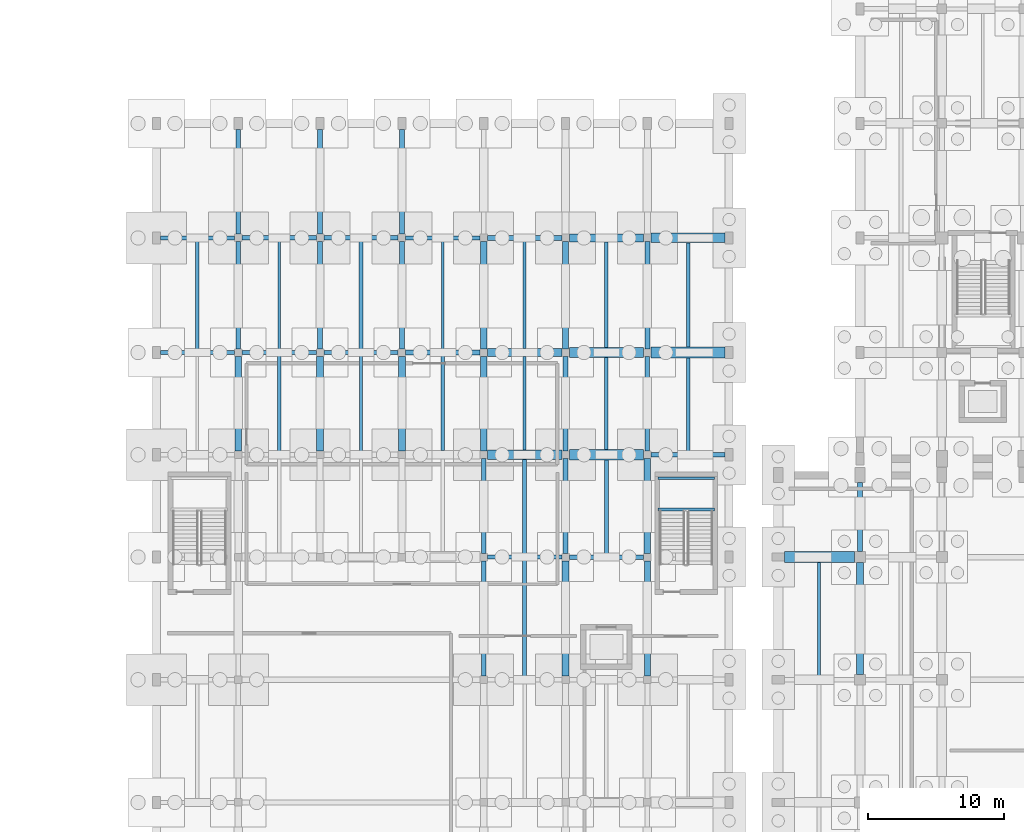
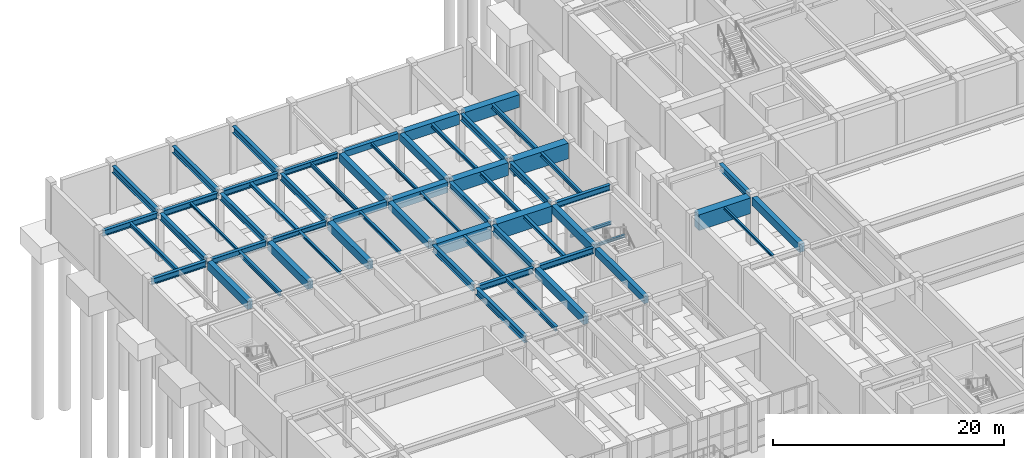
# One storey, part 37 of 69: 62 beams.
"""IFC4 building model written with IfcOpenShell, lengths in metres."""

from ifc_helpers import new_model, si_unit, direction, frame, origin, origin_2d, place, context, subcontext, project, spatial, rectangle, i_section, extrude, material, material_profile, profile_set, type_object, element, save


model = new_model("IFC4")

# Units and contexts
model_context = context("Model", 3, precision=1e-05, world=origin(), true_north=direction((0.0, 1.0)))
body_context = subcontext(model_context, "Body", "Model", "MODEL_VIEW")
ifc_project = project(units=[si_unit("LENGTHUNIT", "METRE"), si_unit("AREAUNIT", "SQUARE_METRE"), si_unit("VOLUMEUNIT", "CUBIC_METRE"), si_unit("PLANEANGLEUNIT", "RADIAN"), si_unit("MASSUNIT", "GRAM", prefix="KILO")], contexts=[model_context])

# Site, building, storey
site_placement = place(None, origin())
site = spatial("IfcSite", under=ifc_project, at=site_placement, CompositionType="ELEMENT")
building_placement = place(site_placement, origin())
building = spatial("IfcBuilding", under=site, at=building_placement, Name="Vaelkrest Opera House", CompositionType="ELEMENT")
storey_placement = place(building_placement, frame((0.0, 0.0, -5.39990234375)))
storey = spatial("IfcBuildingStorey", under=building, at=storey_placement, Name="B1", CompositionType="ELEMENT", Elevation=-5.39990234375)

# Beams
ifc_material_1 = material(Name="Concrete C50/60", Category="concrete")
ifc_material_profile_1 = material_profile(ifc_material_1, rectangle(XDim=0.39990234375, YDim=0.64990234375, at=origin_2d()), Name="RCB400X650")
ifc_profile_set_1 = profile_set([ifc_material_profile_1], Name="Concrete C50/60")
beam_type_1 = type_object("IfcBeamType", Name="B01", PredefinedType="BEAM", material=ifc_profile_set_1)
for number, where, z_axis, x_axis, name in (
    (1, (-57.324951171875, 25.199951171875, 4.7548828125), (1.0, 0.0, 0.0), (0.0, 1.0, 0.0), "Beam BM-V3-B1-1309"),
    (2, (-51.324951171875, 33.60009765625, 4.7548828125), (1.0, 0.0, 0.0), (0.0, 1.0, 0.0), "Beam BM-V3-B1-1317"),
):
    element("IfcBeam", number, at=place(storey_placement, frame(where, z_axis=z_axis, x_axis=x_axis)), inside=storey, type_object=beam_type_1, Name=name, PredefinedType="BEAM", context=body_context, shape_type="SweptSolid", body=[
        extrude(rectangle(XDim=0.39990234375, YDim=0.64990234375, at=origin_2d()), origin(), (0.0, 0.0, 1.0), 5.449951171875),
    ])
ifc_material_profile_2 = material_profile(ifc_material_1, rectangle(XDim=0.449951171875, YDim=0.75, at=origin_2d()), Name="RCB450X750")
ifc_profile_set_2 = profile_set([ifc_material_profile_2], Name="Concrete C50/60")
beam_type_2 = type_object("IfcBeamType", Name="B02", PredefinedType="BEAM", material=ifc_profile_set_2)
beam_1_placement = place(storey_placement, frame((-51.60009765625, 17.97509765625, 4.704833984375), z_axis=(0.0, 1.0, 0.0), x_axis=(-1.0, 0.0, 0.0)))
element("IfcBeam", 3, at=beam_1_placement, inside=storey, type_object=beam_type_2, Name="Beam BM-V3-B1-1339", PredefinedType="BEAM", context=body_context, shape_type="SweptSolid", body=[
    extrude(rectangle(XDim=0.449951171875, YDim=0.75, at=origin_2d()), origin(), (0.0, 0.0, 1.0), 6.949951171875),
])
beam_2_placement = place(storey_placement, frame((-45.60009765625, 25.47509765625, 4.704833984375), z_axis=(0.0, 1.0, 0.0), x_axis=(-1.0, 0.0, 0.0)))
element("IfcBeam", 4, at=beam_2_placement, inside=storey, type_object=beam_type_2, Name="Beam BM-V3-B1-1347", PredefinedType="BEAM", context=body_context, shape_type="SweptSolid", body=[
    extrude(rectangle(XDim=0.449951171875, YDim=0.75, at=origin_2d()), origin(), (0.0, 0.0, 1.0), 7.849853515625),
])
beam_3_placement = place(storey_placement, frame((-39.60009765625, 1.47509765625, 4.704833984375), z_axis=(0.0, 1.0, 0.0), x_axis=(-1.0, 0.0, 0.0)))
element("IfcBeam", 5, at=beam_3_placement, inside=storey, type_object=beam_type_2, Name="Beam BM-V3-B1-1351", PredefinedType="BEAM", context=body_context, shape_type="SweptSolid", body=[
    extrude(rectangle(XDim=0.449951171875, YDim=0.75, at=origin_2d()), origin(), (0.0, 0.0, 1.0), 8.449951171875),
])
ifc_material_profile_3 = material_profile(ifc_material_1, rectangle(XDim=0.5, YDim=0.85009765625, at=origin_2d()), Name="RCB500X850")
ifc_profile_set_3 = profile_set([ifc_material_profile_3], Name="Concrete C50/60")
beam_type_3 = type_object("IfcBeamType", Name="B03", PredefinedType="BEAM", material=ifc_profile_set_3)
beam_4_placement = place(storey_placement, frame((-24.0, 1.60009765625, 4.635009765625), z_axis=(0.0, 1.0, 0.0), x_axis=(-1.0, 0.0, 0.0)))
element("IfcBeam", 6, at=beam_4_placement, inside=storey, type_object=beam_type_3, Name="Beam BM-V1-B1-0040", PredefinedType="BEAM", context=body_context, shape_type="SweptSolid", body=[
    extrude(rectangle(XDim=0.5, YDim=0.85009765625, at=origin_2d()), origin(), (0.0, 0.0, 1.0), 8.199951171875),
])
for number, where, z_axis, x_axis, name in (
    (7, (-69.60009765625, 17.97509765625, 4.65478515625), (0.0, 1.0, 0.0), (-1.0, 0.0, 0.0), "Beam BM-V3-B1-1324"),
    (8, (-63.60009765625, 17.97509765625, 4.65478515625), (0.0, 1.0, 0.0), (-1.0, 0.0, 0.0), "Beam BM-V3-B1-1328"),
    (9, (-57.60009765625, 17.97509765625, 4.65478515625), (0.0, 1.0, 0.0), (-1.0, 0.0, 0.0), "Beam BM-V3-B1-1332"),
):
    element("IfcBeam", number, at=place(storey_placement, frame(where, z_axis=z_axis, x_axis=x_axis)), inside=storey, type_object=beam_type_3, Name=name, PredefinedType="BEAM", context=body_context, shape_type="SweptSolid", body=[
        extrude(rectangle(XDim=0.5, YDim=0.85009765625, at=origin_2d()), origin(), (0.0, 0.0, 1.0), 6.949951171875),
    ])
beam_5_placement = place(storey_placement, frame((-51.60009765625, 25.47509765625, 4.65478515625), z_axis=(0.0, 1.0, 0.0), x_axis=(-1.0, 0.0, 0.0)))
element("IfcBeam", 10, at=beam_5_placement, inside=storey, type_object=beam_type_3, Name="Beam BM-V3-B1-1340", PredefinedType="BEAM", context=body_context, shape_type="SweptSolid", body=[
    extrude(rectangle(XDim=0.5, YDim=0.85009765625, at=origin_2d()), origin(), (0.0, 0.0, 1.0), 7.849853515625),
])
beam_6_placement = place(storey_placement, frame((-45.60009765625, 1.47509765625, 4.65478515625), z_axis=(0.0, 1.0, 0.0), x_axis=(-1.0, 0.0, 0.0)))
element("IfcBeam", 11, at=beam_6_placement, inside=storey, type_object=beam_type_3, Name="Beam BM-V3-B1-1344", PredefinedType="BEAM", context=body_context, shape_type="SweptSolid", body=[
    extrude(rectangle(XDim=0.5, YDim=0.85009765625, at=origin_2d()), origin(), (0.0, 0.0, 1.0), 8.449951171875),
])
beam_7_placement = place(storey_placement, frame((-39.60009765625, 10.47509765625, 4.65478515625), z_axis=(0.0, 1.0, 0.0), x_axis=(-1.0, 0.0, 0.0)))
element("IfcBeam", 12, at=beam_7_placement, inside=storey, type_object=beam_type_3, Name="Beam BM-V3-B1-1352", PredefinedType="BEAM", context=body_context, shape_type="SweptSolid", body=[
    extrude(rectangle(XDim=0.5, YDim=0.85009765625, at=origin_2d()), origin(), (0.0, 0.0, 1.0), 6.949951171875),
])
ifc_material_profile_4 = material_profile(ifc_material_1, rectangle(XDim=0.60009765625, YDim=1.10009765625, at=origin_2d()), Name="RCB600X1100")
ifc_profile_set_4 = profile_set([ifc_material_profile_4], Name="Concrete C50/60")
beam_type_4 = type_object("IfcBeamType", Name="B05", PredefinedType="BEAM", material=ifc_profile_set_4)
for number, where, z_axis, x_axis, name in (
    (13, (-51.324951171875, 25.199951171875, 4.52978515625), (1.0, 0.0, 0.0), (0.0, 1.0, 0.0), "Beam BM-V3-B1-1310"),
    (14, (-45.324951171875, 33.60009765625, 4.52978515625), (1.0, 0.0, 0.0), (0.0, 1.0, 0.0), "Beam BM-V3-B1-1318"),
):
    element("IfcBeam", number, at=place(storey_placement, frame(where, z_axis=z_axis, x_axis=x_axis)), inside=storey, type_object=beam_type_4, Name=name, PredefinedType="BEAM", context=body_context, shape_type="SweptSolid", body=[
        extrude(rectangle(XDim=0.60009765625, YDim=1.10009765625, at=origin_2d()), origin(), (0.0, 0.0, 1.0), 5.449951171875),
    ])
ifc_material_profile_5 = material_profile(ifc_material_1, rectangle(XDim=0.699951171875, YDim=1.35009765625, at=origin_2d()), Name="RCB700X1350")
ifc_profile_set_5 = profile_set([ifc_material_profile_5], Name="Concrete C50/60")
beam_type_5 = type_object("IfcBeamType", Name="B06", PredefinedType="BEAM", material=ifc_profile_set_5)
for number, where, z_axis, x_axis, name in (
    (15, (-51.324951171875, 17.699951171875, 4.40478515625), (1.0, 0.0, 0.0), (0.0, 1.0, 0.0), "Beam BM-V3-B1-1303"),
    (16, (-45.324951171875, 25.199951171875, 4.40478515625), (1.0, 0.0, 0.0), (0.0, 1.0, 0.0), "Beam BM-V3-B1-1311"),
):
    element("IfcBeam", number, at=place(storey_placement, frame(where, z_axis=z_axis, x_axis=x_axis)), inside=storey, type_object=beam_type_5, Name=name, PredefinedType="BEAM", context=body_context, shape_type="SweptSolid", body=[
        extrude(rectangle(XDim=0.699951171875, YDim=1.35009765625, at=origin_2d()), origin(), (0.0, 0.0, 1.0), 5.449951171875),
    ])
beam_8_placement = place(storey_placement, frame((-39.324951171875, 33.60009765625, 4.40478515625), z_axis=(1.0, 0.0, 0.0), x_axis=(0.0, 1.0, 0.0)))
element("IfcBeam", 17, at=beam_8_placement, inside=storey, type_object=beam_type_5, Name="Beam BM-V3-B1-1319", PredefinedType="BEAM", context=body_context, shape_type="SweptSolid", body=[
    extrude(rectangle(XDim=0.699951171875, YDim=1.35009765625, at=origin_2d()), origin(), (0.0, 0.0, 1.0), 5.425048828125),
])
ifc_material_profile_6 = material_profile(ifc_material_1, rectangle(XDim=0.800048828125, YDim=1.64990234375, at=origin_2d()), Name="RCB800X1650")
ifc_profile_set_6 = profile_set([ifc_material_profile_6], Name="Concrete C50/60")
beam_type_6 = type_object("IfcBeamType", Name="B07", PredefinedType="BEAM", material=ifc_profile_set_6)
beam_9_placement = place(storey_placement, frame((-29.550048828125, 10.199951171875, 4.23486328125), z_axis=(1.0, 0.0, 0.0), x_axis=(0.0, 1.0, 0.0)))
element("IfcBeam", 18, at=beam_9_placement, inside=storey, type_object=beam_type_6, Name="Beam BM-V1-B1-0032", PredefinedType="BEAM", context=body_context, shape_type="SweptSolid", body=[
    extrude(rectangle(XDim=0.800048828125, YDim=1.64990234375, at=origin_2d()), origin(), (0.0, 0.0, 1.0), 5.150146484375),
])
beam_10_placement = place(storey_placement, frame((-45.324951171875, 17.699951171875, 4.2548828125), z_axis=(1.0, 0.0, 0.0), x_axis=(0.0, 1.0, 0.0)))
element("IfcBeam", 19, at=beam_10_placement, inside=storey, type_object=beam_type_6, Name="Beam BM-V3-B1-1304", PredefinedType="BEAM", context=body_context, shape_type="SweptSolid", body=[
    extrude(rectangle(XDim=0.800048828125, YDim=1.64990234375, at=origin_2d()), origin(), (0.0, 0.0, 1.0), 5.449951171875),
])
beam_11_placement = place(storey_placement, frame((-39.324951171875, 25.199951171875, 4.2548828125), z_axis=(1.0, 0.0, 0.0), x_axis=(0.0, 1.0, 0.0)))
element("IfcBeam", 20, at=beam_11_placement, inside=storey, type_object=beam_type_6, Name="Beam BM-V3-B1-1312", PredefinedType="BEAM", context=body_context, shape_type="SweptSolid", body=[
    extrude(rectangle(XDim=0.800048828125, YDim=1.64990234375, at=origin_2d()), origin(), (0.0, 0.0, 1.0), 5.425048828125),
])
ifc_material_2 = material(Name="Steel A992 Gr50", Category="steel")
ifc_material_profile_7 = material_profile(ifc_material_2, i_section(OverallWidth=0.323974609375, OverallDepth=0.611083984375, WebThickness=0.0126953125, FlangeThickness=0.01904296875, at=origin_2d()), Name="W24X104")
ifc_profile_set_7 = profile_set([ifc_material_profile_7], Name="Steel A992 Gr50")
beam_type_7 = type_object("IfcBeamType", Name="B08", PredefinedType="BEAM", material=ifc_profile_set_7)
beam_12_placement = place(storey_placement, frame((-51.324951171875, 10.199951171875, 4.7744140625), z_axis=(1.0, 0.0, 0.0), x_axis=(0.0, 1.0, 0.0)))
element("IfcBeam", 21, at=beam_12_placement, inside=storey, type_object=beam_type_7, Name="Beam BM-V3-B1-1297", PredefinedType="BEAM", context=body_context, shape_type="SweptSolid", body=[
    extrude(i_section(OverallWidth=0.323974609375, OverallDepth=0.611083984375, WebThickness=0.0126953125, FlangeThickness=0.01904296875, at=origin_2d()), origin(), (0.0, 0.0, 1.0), 5.449951171875),
])
for number, where, z_axis, x_axis, name in (
    (22, (-39.324951171875, 17.699951171875, 4.7744140625), (1.0, 0.0, 0.0), (0.0, 1.0, 0.0), "Beam BM-V3-B1-1305"),
    (23, (-75.300048828125, 33.60009765625, 4.7744140625), (1.0, 0.0, 0.0), (0.0, 1.0, 0.0), "Beam BM-V3-B1-1313"),
):
    element("IfcBeam", number, at=place(storey_placement, frame(where, z_axis=z_axis, x_axis=x_axis)), inside=storey, type_object=beam_type_7, Name=name, PredefinedType="BEAM", context=body_context, shape_type="SweptSolid", body=[
        extrude(i_section(OverallWidth=0.323974609375, OverallDepth=0.611083984375, WebThickness=0.0126953125, FlangeThickness=0.01904296875, at=origin_2d()), origin(), (0.0, 0.0, 1.0), 5.425048828125),
    ])
ifc_material_profile_8 = material_profile(ifc_material_2, i_section(OverallWidth=0.327880859375, OverallDepth=0.6279296875, WebThickness=0.0166015625, FlangeThickness=0.027587890625, at=origin_2d()), Name="W24X146")
ifc_profile_set_8 = profile_set([ifc_material_profile_8], Name="Steel A992 Gr50")
beam_type_8 = type_object("IfcBeamType", Name="B09", PredefinedType="BEAM", material=ifc_profile_set_8)
beam_13_placement = place(storey_placement, frame((-45.324951171875, 10.199951171875, 4.765869140625), z_axis=(1.0, 0.0, 0.0), x_axis=(0.0, 1.0, 0.0)))
element("IfcBeam", 24, at=beam_13_placement, inside=storey, type_object=beam_type_8, Name="Beam BM-V3-B1-1298", PredefinedType="BEAM", context=body_context, shape_type="SweptSolid", body=[
    extrude(i_section(OverallWidth=0.327880859375, OverallDepth=0.6279296875, WebThickness=0.0166015625, FlangeThickness=0.027587890625, at=origin_2d()), origin(), (0.0, 0.0, 1.0), 5.449951171875),
])
beam_14_placement = place(storey_placement, frame((-75.300048828125, 25.199951171875, 4.765869140625), z_axis=(1.0, 0.0, 0.0), x_axis=(0.0, 1.0, 0.0)))
element("IfcBeam", 25, at=beam_14_placement, inside=storey, type_object=beam_type_8, Name="Beam BM-V3-B1-1306", PredefinedType="BEAM", context=body_context, shape_type="SweptSolid", body=[
    extrude(i_section(OverallWidth=0.327880859375, OverallDepth=0.6279296875, WebThickness=0.0166015625, FlangeThickness=0.027587890625, at=origin_2d()), origin(), (0.0, 0.0, 1.0), 5.425048828125),
])
beam_15_placement = place(storey_placement, frame((-69.324951171875, 33.60009765625, 4.765869140625), z_axis=(1.0, 0.0, 0.0), x_axis=(0.0, 1.0, 0.0)))
element("IfcBeam", 26, at=beam_15_placement, inside=storey, type_object=beam_type_8, Name="Beam BM-V3-B1-1314", PredefinedType="BEAM", context=body_context, shape_type="SweptSolid", body=[
    extrude(i_section(OverallWidth=0.327880859375, OverallDepth=0.6279296875, WebThickness=0.0166015625, FlangeThickness=0.027587890625, at=origin_2d()), origin(), (0.0, 0.0, 1.0), 5.449951171875),
])
ifc_material_profile_9 = material_profile(ifc_material_2, i_section(OverallWidth=0.35498046875, OverallDepth=0.695068359375, WebThickness=0.015380859375, FlangeThickness=0.02490234375, at=origin_2d()), Name="W27X146")
ifc_profile_set_9 = profile_set([ifc_material_profile_9], Name="Steel A992 Gr50")
beam_type_9 = type_object("IfcBeamType", Name="B10", PredefinedType="BEAM", material=ifc_profile_set_9)
beam_16_placement = place(storey_placement, frame((-24.0, 10.60009765625, 4.71240234375), z_axis=(0.0, 1.0, 0.0), x_axis=(-1.0, 0.0, 0.0)))
element("IfcBeam", 27, at=beam_16_placement, inside=storey, type_object=beam_type_9, Name="Beam BM-V1-B1-0041", PredefinedType="BEAM", context=body_context, shape_type="SweptSolid", body=[
    extrude(i_section(OverallWidth=0.35498046875, OverallDepth=0.695068359375, WebThickness=0.015380859375, FlangeThickness=0.02490234375, at=origin_2d()), origin(), (0.0, 0.0, 1.0), 5.0498046875),
])
for number, where, z_axis, x_axis, name in (
    (28, (-69.60009765625, 25.47509765625, 4.732421875), (0.0, 1.0, 0.0), (-1.0, 0.0, 0.0), "Beam BM-V3-B1-1325"),
    (29, (-63.60009765625, 25.47509765625, 4.732421875), (0.0, 1.0, 0.0), (-1.0, 0.0, 0.0), "Beam BM-V3-B1-1329"),
    (30, (-57.60009765625, 25.47509765625, 4.732421875), (0.0, 1.0, 0.0), (-1.0, 0.0, 0.0), "Beam BM-V3-B1-1333"),
):
    element("IfcBeam", number, at=place(storey_placement, frame(where, z_axis=z_axis, x_axis=x_axis)), inside=storey, type_object=beam_type_9, Name=name, PredefinedType="BEAM", context=body_context, shape_type="SweptSolid", body=[
        extrude(i_section(OverallWidth=0.35498046875, OverallDepth=0.695068359375, WebThickness=0.015380859375, FlangeThickness=0.02490234375, at=origin_2d()), origin(), (0.0, 0.0, 1.0), 7.849853515625),
    ])
beam_17_placement = place(storey_placement, frame((-51.60009765625, 1.47509765625, 4.732421875), z_axis=(0.0, 1.0, 0.0), x_axis=(-1.0, 0.0, 0.0)))
element("IfcBeam", 31, at=beam_17_placement, inside=storey, type_object=beam_type_9, Name="Beam BM-V3-B1-1337", PredefinedType="BEAM", context=body_context, shape_type="SweptSolid", body=[
    extrude(i_section(OverallWidth=0.35498046875, OverallDepth=0.695068359375, WebThickness=0.015380859375, FlangeThickness=0.02490234375, at=origin_2d()), origin(), (0.0, 0.0, 1.0), 8.449951171875),
])
for number, where, z_axis, x_axis, name in (
    (32, (-45.60009765625, 10.47509765625, 4.732421875), (0.0, 1.0, 0.0), (-1.0, 0.0, 0.0), "Beam BM-V3-B1-1345"),
    (33, (-39.60009765625, 17.97509765625, 4.732421875), (0.0, 1.0, 0.0), (-1.0, 0.0, 0.0), "Beam BM-V3-B1-1353"),
):
    element("IfcBeam", number, at=place(storey_placement, frame(where, z_axis=z_axis, x_axis=x_axis)), inside=storey, type_object=beam_type_9, Name=name, PredefinedType="BEAM", context=body_context, shape_type="SweptSolid", body=[
        extrude(i_section(OverallWidth=0.35498046875, OverallDepth=0.695068359375, WebThickness=0.015380859375, FlangeThickness=0.02490234375, at=origin_2d()), origin(), (0.0, 0.0, 1.0), 6.949951171875),
    ])
ifc_material_profile_10 = material_profile(ifc_material_2, i_section(OverallWidth=0.35791015625, OverallDepth=0.7060546875, WebThickness=0.018310546875, FlangeThickness=0.0302734375, at=origin_2d()), Name="W27X178")
ifc_profile_set_10 = profile_set([ifc_material_profile_10], Name="Steel A992 Gr50")
beam_type_10 = type_object("IfcBeamType", Name="B14", PredefinedType="BEAM", material=ifc_profile_set_10)
for number, where, z_axis, x_axis, name in (
    (34, (-69.60009765625, 33.875, 4.726806640625), (0.0, 1.0, 0.0), (-1.0, 0.0, 0.0), "Beam BM-V3-B1-1326"),
    (35, (-63.60009765625, 33.875, 4.726806640625), (0.0, 1.0, 0.0), (-1.0, 0.0, 0.0), "Beam BM-V3-B1-1330"),
    (36, (-57.60009765625, 33.875, 4.726806640625), (0.0, 1.0, 0.0), (-1.0, 0.0, 0.0), "Beam BM-V3-B1-1334"),
):
    element("IfcBeam", number, at=place(storey_placement, frame(where, z_axis=z_axis, x_axis=x_axis)), inside=storey, type_object=beam_type_10, Name=name, PredefinedType="BEAM", context=body_context, shape_type="SweptSolid", body=[
        extrude(i_section(OverallWidth=0.35791015625, OverallDepth=0.7060546875, WebThickness=0.018310546875, FlangeThickness=0.0302734375, at=origin_2d()), origin(), (0.0, 0.0, 1.0), 7.675048828125),
    ])
for number, where, z_axis, x_axis, name in (
    (37, (-51.60009765625, 10.47509765625, 4.726806640625), (0.0, 1.0, 0.0), (-1.0, 0.0, 0.0), "Beam BM-V3-B1-1338"),
    (38, (-45.60009765625, 17.97509765625, 4.726806640625), (0.0, 1.0, 0.0), (-1.0, 0.0, 0.0), "Beam BM-V3-B1-1346"),
):
    element("IfcBeam", number, at=place(storey_placement, frame(where, z_axis=z_axis, x_axis=x_axis)), inside=storey, type_object=beam_type_10, Name=name, PredefinedType="BEAM", context=body_context, shape_type="SweptSolid", body=[
        extrude(i_section(OverallWidth=0.35791015625, OverallDepth=0.7060546875, WebThickness=0.018310546875, FlangeThickness=0.0302734375, at=origin_2d()), origin(), (0.0, 0.0, 1.0), 6.949951171875),
    ])
beam_18_placement = place(storey_placement, frame((-39.60009765625, 25.47509765625, 4.726806640625), z_axis=(0.0, 1.0, 0.0), x_axis=(-1.0, 0.0, 0.0)))
element("IfcBeam", 39, at=beam_18_placement, inside=storey, type_object=beam_type_10, Name="Beam BM-V3-B1-1354", PredefinedType="BEAM", context=body_context, shape_type="SweptSolid", body=[
    extrude(i_section(OverallWidth=0.35791015625, OverallDepth=0.7060546875, WebThickness=0.018310546875, FlangeThickness=0.0302734375, at=origin_2d()), origin(), (0.0, 0.0, 1.0), 7.849853515625),
])
ifc_material_profile_11 = material_profile(ifc_material_2, i_section(OverallWidth=0.326904296875, OverallDepth=0.6220703125, WebThickness=0.015380859375, FlangeThickness=0.0244140625, at=origin_2d()), Name="W24X131")
ifc_profile_set_11 = profile_set([ifc_material_profile_11], Name="Steel A992 Gr50")
beam_type_11 = type_object("IfcBeamType", Name="B19", PredefinedType="BEAM", material=ifc_profile_set_11)
for number, where, z_axis, x_axis, name in (
    (40, (-69.324951171875, 25.199951171875, 4.768798828125), (1.0, 0.0, 0.0), (0.0, 1.0, 0.0), "Beam BM-V3-B1-1307"),
    (41, (-63.324951171875, 33.60009765625, 4.768798828125), (1.0, 0.0, 0.0), (0.0, 1.0, 0.0), "Beam BM-V3-B1-1315"),
):
    element("IfcBeam", number, at=place(storey_placement, frame(where, z_axis=z_axis, x_axis=x_axis)), inside=storey, type_object=beam_type_11, Name=name, PredefinedType="BEAM", context=body_context, shape_type="SweptSolid", body=[
        extrude(i_section(OverallWidth=0.326904296875, OverallDepth=0.6220703125, WebThickness=0.015380859375, FlangeThickness=0.0244140625, at=origin_2d()), origin(), (0.0, 0.0, 1.0), 5.449951171875),
    ])
ifc_material_profile_12 = material_profile(ifc_material_2, i_section(OverallWidth=0.31494140625, OverallDepth=0.551025390625, WebThickness=0.01513671875, FlangeThickness=0.0244140625, at=origin_2d()), Name="W21X122")
ifc_profile_set_12 = profile_set([ifc_material_profile_12], Name="Steel A992 Gr50")
beam_type_12 = type_object("IfcBeamType", Name="B20", PredefinedType="BEAM", material=ifc_profile_set_12)
for number, where, z_axis, x_axis, name in (
    (42, (-63.324951171875, 25.199951171875, 4.804443359375), (1.0, 0.0, 0.0), (0.0, 1.0, 0.0), "Beam BM-V3-B1-1308"),
    (43, (-57.324951171875, 33.60009765625, 4.804443359375), (1.0, 0.0, 0.0), (0.0, 1.0, 0.0), "Beam BM-V3-B1-1316"),
):
    element("IfcBeam", number, at=place(storey_placement, frame(where, z_axis=z_axis, x_axis=x_axis)), inside=storey, type_object=beam_type_12, Name=name, PredefinedType="BEAM", context=body_context, shape_type="SweptSolid", body=[
        extrude(i_section(OverallWidth=0.31494140625, OverallDepth=0.551025390625, WebThickness=0.01513671875, FlangeThickness=0.0244140625, at=origin_2d()), origin(), (0.0, 0.0, 1.0), 5.449951171875),
    ])
ifc_material_profile_13 = material_profile(ifc_material_2, i_section(OverallWidth=0.2041015625, OverallDepth=0.257080078125, WebThickness=0.0087890625, FlangeThickness=0.015625, at=origin_2d()), Name="W10X45")
ifc_profile_set_13 = profile_set([ifc_material_profile_13], Name="Steel A992 Gr50")
beam_type_13 = type_object("IfcBeamType", Name="J01", PredefinedType="JOIST", material=ifc_profile_set_13)
beam_19_placement = place(storey_placement, frame((-27.0, 1.363525390625, 4.931396484375), z_axis=(0.0, 1.0, 0.0), x_axis=(-1.0, 0.0, 0.0)))
element("IfcBeam", 44, at=beam_19_placement, inside=storey, type_object=beam_type_13, Name="Floor joist JST-V1-B1-0071", PredefinedType="JOIST", context=body_context, shape_type="SweptSolid", body=[
    extrude(i_section(OverallWidth=0.2041015625, OverallDepth=0.257080078125, WebThickness=0.0087890625, FlangeThickness=0.015625, at=origin_2d()), origin(), (0.0, 0.0, 1.0), 8.4365234375),
])
beam_20_placement = place(storey_placement, frame((-66.60009765625, 25.363525390625, 4.951416015625), z_axis=(0.0, 1.0, 0.0), x_axis=(-1.0, 0.0, 0.0)))
element("IfcBeam", 45, at=beam_20_placement, inside=storey, type_object=beam_type_13, Name="Floor joist JST-V3-B1-1361", PredefinedType="JOIST", context=body_context, shape_type="SweptSolid", body=[
    extrude(i_section(OverallWidth=0.2041015625, OverallDepth=0.257080078125, WebThickness=0.0087890625, FlangeThickness=0.015625, at=origin_2d()), origin(), (0.0, 0.0, 1.0), 8.072509765625),
])
beam_21_placement = place(storey_placement, frame((-48.60009765625, 18.050048828125, 4.951416015625), z_axis=(0.0, 1.0, 0.0), x_axis=(-1.0, 0.0, 0.0)))
element("IfcBeam", 46, at=beam_21_placement, inside=storey, type_object=beam_type_13, Name="Floor joist JST-V3-B1-1371", PredefinedType="JOIST", context=body_context, shape_type="SweptSolid", body=[
    extrude(i_section(OverallWidth=0.2041015625, OverallDepth=0.257080078125, WebThickness=0.0087890625, FlangeThickness=0.015625, at=origin_2d()), origin(), (0.0, 0.0, 1.0), 6.849853515625),
])
ifc_material_profile_14 = material_profile(ifc_material_2, i_section(OverallWidth=0.202880859375, OverallDepth=0.302978515625, WebThickness=0.007568359375, FlangeThickness=0.01318359375, at=origin_2d()), Name="W12X40")
ifc_profile_set_14 = profile_set([ifc_material_profile_14], Name="Steel A992 Gr50")
beam_type_14 = type_object("IfcBeamType", Name="J02", PredefinedType="JOIST", material=ifc_profile_set_14)
beam_22_placement = place(storey_placement, frame((-48.60009765625, 25.5, 4.928466796875), z_axis=(0.0, 1.0, 0.0), x_axis=(-1.0, 0.0, 0.0)))
element("IfcBeam", 47, at=beam_22_placement, inside=storey, type_object=beam_type_14, Name="Floor joist JST-V3-B1-1372", PredefinedType="JOIST", context=body_context, shape_type="SweptSolid", body=[
    extrude(i_section(OverallWidth=0.202880859375, OverallDepth=0.302978515625, WebThickness=0.007568359375, FlangeThickness=0.01318359375, at=origin_2d()), origin(), (0.0, 0.0, 1.0), 7.89990234375),
])
for number, where, z_axis, x_axis, name in (
    (48, (-38.820068359375, 13.68994140625, 2.348388671875), (1.0, 0.0, 0.0), (0.0, 1.0, 0.0), "Stair landing bearer beam ST08 B1-1N"),
    (49, (-38.820068359375, 15.97998046875, 2.348388671875), (1.0, 0.0, 0.0), (0.0, 1.0, 0.0), "Stair landing bearer beam ST08 B1-1F"),
):
    element("IfcBeam", number, at=place(storey_placement, frame(where, z_axis=z_axis, x_axis=x_axis)), inside=storey, type_object=beam_type_14, Name=name, PredefinedType="JOIST", context=body_context, shape_type="SweptSolid", body=[
        extrude(i_section(OverallWidth=0.202880859375, OverallDepth=0.302978515625, WebThickness=0.007568359375, FlangeThickness=0.01318359375, at=origin_2d()), origin(), (0.0, 0.0, 1.0), 4.14013671875),
    ])
ifc_material_profile_15 = material_profile(ifc_material_2, i_section(OverallWidth=0.25390625, OverallDepth=0.305908203125, WebThickness=0.0087890625, FlangeThickness=0.0146484375, at=origin_2d()), Name="W12X53")
ifc_profile_set_15 = profile_set([ifc_material_profile_15], Name="Steel A992 Gr50")
beam_type_15 = type_object("IfcBeamType", Name="J03", PredefinedType="JOIST", material=ifc_profile_set_15)
beam_23_placement = place(storey_placement, frame((-60.60009765625, 17.89990234375, 4.927001953125), z_axis=(0.0, 1.0, 0.0), x_axis=(-1.0, 0.0, 0.0)))
element("IfcBeam", 50, at=beam_23_placement, inside=storey, type_object=beam_type_15, Name="Floor joist JST-V3-B1-1363", PredefinedType="JOIST", context=body_context, shape_type="SweptSolid", body=[
    extrude(i_section(OverallWidth=0.25390625, OverallDepth=0.305908203125, WebThickness=0.0087890625, FlangeThickness=0.0146484375, at=origin_2d()), origin(), (0.0, 0.0, 1.0), 7.142578125),
])
ifc_material_profile_16 = material_profile(ifc_material_2, i_section(OverallWidth=0.304931640625, OverallDepth=0.30810546875, WebThickness=0.010009765625, FlangeThickness=0.015380859375, at=origin_2d()), Name="W12X65")
ifc_profile_set_16 = profile_set([ifc_material_profile_16], Name="Steel A992 Gr50")
beam_type_16 = type_object("IfcBeamType", Name="J04", PredefinedType="JOIST", material=ifc_profile_set_16)
beam_24_placement = place(storey_placement, frame((-60.60009765625, 25.357421875, 4.92578125), z_axis=(0.0, 1.0, 0.0), x_axis=(-1.0, 0.0, 0.0)))
element("IfcBeam", 51, at=beam_24_placement, inside=storey, type_object=beam_type_16, Name="Floor joist JST-V3-B1-1364", PredefinedType="JOIST", context=body_context, shape_type="SweptSolid", body=[
    extrude(i_section(OverallWidth=0.304931640625, OverallDepth=0.30810546875, WebThickness=0.010009765625, FlangeThickness=0.015380859375, at=origin_2d()), origin(), (0.0, 0.0, 1.0), 8.0791015625),
])
beam_25_placement = place(storey_placement, frame((-42.60009765625, 10.364013671875, 4.92578125), z_axis=(0.0, 1.0, 0.0), x_axis=(-1.0, 0.0, 0.0)))
element("IfcBeam", 52, at=beam_25_placement, inside=storey, type_object=beam_type_16, Name="Floor joist JST-V3-B1-1374", PredefinedType="JOIST", context=body_context, shape_type="SweptSolid", body=[
    extrude(i_section(OverallWidth=0.304931640625, OverallDepth=0.30810546875, WebThickness=0.010009765625, FlangeThickness=0.015380859375, at=origin_2d()), origin(), (0.0, 0.0, 1.0), 6.93603515625),
])
ifc_material_profile_17 = material_profile(ifc_material_2, i_section(OverallWidth=0.2548828125, OverallDepth=0.35693359375, WebThickness=0.010498046875, FlangeThickness=0.018310546875, at=origin_2d()), Name="W14X68")
ifc_profile_set_17 = profile_set([ifc_material_profile_17], Name="Steel A992 Gr50")
beam_type_17 = type_object("IfcBeamType", Name="J05", PredefinedType="JOIST", material=ifc_profile_set_17)
beam_26_placement = place(storey_placement, frame((-42.60009765625, 18.10009765625, 4.9013671875), z_axis=(0.0, 1.0, 0.0), x_axis=(-1.0, 0.0, 0.0)))
element("IfcBeam", 53, at=beam_26_placement, inside=storey, type_object=beam_type_17, Name="Floor joist JST-V3-B1-1375", PredefinedType="JOIST", context=body_context, shape_type="SweptSolid", body=[
    extrude(i_section(OverallWidth=0.2548828125, OverallDepth=0.35693359375, WebThickness=0.010498046875, FlangeThickness=0.018310546875, at=origin_2d()), origin(), (0.0, 0.0, 1.0), 6.75),
])
ifc_material_profile_18 = material_profile(ifc_material_2, i_section(OverallWidth=0.257080078125, OverallDepth=0.363037109375, WebThickness=0.012939453125, FlangeThickness=0.021728515625, at=origin_2d()), Name="W14X82")
ifc_profile_set_18 = profile_set([ifc_material_profile_18], Name="Steel A992 Gr50")
beam_type_18 = type_object("IfcBeamType", Name="J06", PredefinedType="JOIST", material=ifc_profile_set_18)
beam_27_placement = place(storey_placement, frame((-54.60009765625, 18.0, 4.8984375), z_axis=(0.0, 1.0, 0.0), x_axis=(-1.0, 0.0, 0.0)))
element("IfcBeam", 54, at=beam_27_placement, inside=storey, type_object=beam_type_18, Name="Floor joist JST-V3-B1-1366", PredefinedType="JOIST", context=body_context, shape_type="SweptSolid", body=[
    extrude(i_section(OverallWidth=0.257080078125, OverallDepth=0.363037109375, WebThickness=0.012939453125, FlangeThickness=0.021728515625, at=origin_2d()), origin(), (0.0, 0.0, 1.0), 7.0),
])
beam_28_placement = place(storey_placement, frame((-42.60009765625, 25.550048828125, 4.8984375), z_axis=(0.0, 1.0, 0.0), x_axis=(-1.0, 0.0, 0.0)))
element("IfcBeam", 55, at=beam_28_placement, inside=storey, type_object=beam_type_18, Name="Floor joist JST-V3-B1-1376", PredefinedType="JOIST", context=body_context, shape_type="SweptSolid", body=[
    extrude(i_section(OverallWidth=0.257080078125, OverallDepth=0.363037109375, WebThickness=0.012939453125, FlangeThickness=0.021728515625, at=origin_2d()), origin(), (0.0, 0.0, 1.0), 7.75),
])
ifc_material_profile_19 = material_profile(ifc_material_2, i_section(OverallWidth=0.180908203125, OverallDepth=0.4169921875, WebThickness=0.010986328125, FlangeThickness=0.018310546875, at=origin_2d()), Name="W16X57")
ifc_profile_set_19 = profile_set([ifc_material_profile_19], Name="Steel A992 Gr50")
beam_type_19 = type_object("IfcBeamType", Name="J07", PredefinedType="JOIST", material=ifc_profile_set_19)
beam_29_placement = place(storey_placement, frame((-54.60009765625, 25.39990234375, 4.871337890625), z_axis=(0.0, 1.0, 0.0), x_axis=(-1.0, 0.0, 0.0)))
element("IfcBeam", 56, at=beam_29_placement, inside=storey, type_object=beam_type_19, Name="Floor joist JST-V3-B1-1367", PredefinedType="JOIST", context=body_context, shape_type="SweptSolid", body=[
    extrude(i_section(OverallWidth=0.180908203125, OverallDepth=0.4169921875, WebThickness=0.010986328125, FlangeThickness=0.018310546875, at=origin_2d()), origin(), (0.0, 0.0, 1.0), 8.04248046875),
])
ifc_material_profile_20 = material_profile(ifc_material_2, i_section(OverallWidth=0.261962890625, OverallDepth=0.4189453125, WebThickness=0.01171875, FlangeThickness=0.019287109375, at=origin_2d()), Name="W16X77")
ifc_profile_set_20 = profile_set([ifc_material_profile_20], Name="Steel A992 Gr50")
beam_type_20 = type_object("IfcBeamType", Name="J08", PredefinedType="JOIST", material=ifc_profile_set_20)
beam_30_placement = place(storey_placement, frame((-72.60009765625, 25.364013671875, 4.870361328125), z_axis=(0.0, 1.0, 0.0), x_axis=(-1.0, 0.0, 0.0)))
element("IfcBeam", 57, at=beam_30_placement, inside=storey, type_object=beam_type_20, Name="Floor joist JST-V3-B1-1358", PredefinedType="JOIST", context=body_context, shape_type="SweptSolid", body=[
    extrude(i_section(OverallWidth=0.261962890625, OverallDepth=0.4189453125, WebThickness=0.01171875, FlangeThickness=0.019287109375, at=origin_2d()), origin(), (0.0, 0.0, 1.0), 8.073974609375),
])
beam_31_placement = place(storey_placement, frame((-36.60009765625, 17.862060546875, 4.870361328125), z_axis=(0.0, 1.0, 0.0), x_axis=(-1.0, 0.0, 0.0)))
element("IfcBeam", 58, at=beam_31_placement, inside=storey, type_object=beam_type_20, Name="Floor joist JST-V3-B1-1378", PredefinedType="JOIST", context=body_context, shape_type="SweptSolid", body=[
    extrude(i_section(OverallWidth=0.261962890625, OverallDepth=0.4189453125, WebThickness=0.01171875, FlangeThickness=0.019287109375, at=origin_2d()), origin(), (0.0, 0.0, 1.0), 6.93798828125),
])
ifc_material_profile_21 = material_profile(ifc_material_2, i_section(OverallWidth=0.280029296875, OverallDepth=0.462890625, WebThickness=0.0107421875, FlangeThickness=0.017333984375, at=origin_2d()), Name="W18X76")
ifc_profile_set_21 = profile_set([ifc_material_profile_21], Name="Steel A992 Gr50")
beam_type_21 = type_object("IfcBeamType", Name="J09", PredefinedType="JOIST", material=ifc_profile_set_21)
beam_32_placement = place(storey_placement, frame((-48.60009765625, 1.363525390625, 4.848388671875), z_axis=(0.0, 1.0, 0.0), x_axis=(-1.0, 0.0, 0.0)))
element("IfcBeam", 59, at=beam_32_placement, inside=storey, type_object=beam_type_21, Name="Floor joist JST-V3-B1-1369", PredefinedType="JOIST", context=body_context, shape_type="SweptSolid", body=[
    extrude(i_section(OverallWidth=0.280029296875, OverallDepth=0.462890625, WebThickness=0.0107421875, FlangeThickness=0.017333984375, at=origin_2d()), origin(), (0.0, 0.0, 1.0), 8.674560546875),
])
beam_33_placement = place(storey_placement, frame((-36.60009765625, 25.60009765625, 4.848388671875), z_axis=(0.0, 1.0, 0.0), x_axis=(-1.0, 0.0, 0.0)))
element("IfcBeam", 60, at=beam_33_placement, inside=storey, type_object=beam_type_21, Name="Floor joist JST-V3-B1-1379", PredefinedType="JOIST", context=body_context, shape_type="SweptSolid", body=[
    extrude(i_section(OverallWidth=0.280029296875, OverallDepth=0.462890625, WebThickness=0.0107421875, FlangeThickness=0.017333984375, at=origin_2d()), origin(), (0.0, 0.0, 1.0), 7.64990234375),
])
ifc_material_profile_22 = material_profile(ifc_material_2, i_section(OverallWidth=0.282958984375, OverallDepth=0.471923828125, WebThickness=0.013671875, FlangeThickness=0.022216796875, at=origin_2d()), Name="W18X97")
ifc_profile_set_22 = profile_set([ifc_material_profile_22], Name="Steel A992 Gr50")
beam_type_22 = type_object("IfcBeamType", Name="J10", PredefinedType="JOIST", material=ifc_profile_set_22)
beam_34_placement = place(storey_placement, frame((-66.60009765625, 17.857421875, 4.843994140625), z_axis=(0.0, 1.0, 0.0), x_axis=(-1.0, 0.0, 0.0)))
element("IfcBeam", 61, at=beam_34_placement, inside=storey, type_object=beam_type_22, Name="Floor joist JST-V3-B1-1360", PredefinedType="JOIST", context=body_context, shape_type="SweptSolid", body=[
    extrude(i_section(OverallWidth=0.282958984375, OverallDepth=0.471923828125, WebThickness=0.013671875, FlangeThickness=0.022216796875, at=origin_2d()), origin(), (0.0, 0.0, 1.0), 7.17919921875),
])
beam_35_placement = place(storey_placement, frame((-48.60009765625, 10.362060546875, 4.843994140625), z_axis=(0.0, 1.0, 0.0), x_axis=(-1.0, 0.0, 0.0)))
element("IfcBeam", 62, at=beam_35_placement, inside=storey, type_object=beam_type_22, Name="Floor joist JST-V3-B1-1370", PredefinedType="JOIST", context=body_context, shape_type="SweptSolid", body=[
    extrude(i_section(OverallWidth=0.282958984375, OverallDepth=0.471923828125, WebThickness=0.013671875, FlangeThickness=0.022216796875, at=origin_2d()), origin(), (0.0, 0.0, 1.0), 6.988037109375),
])

save(model, "model.ifc")
